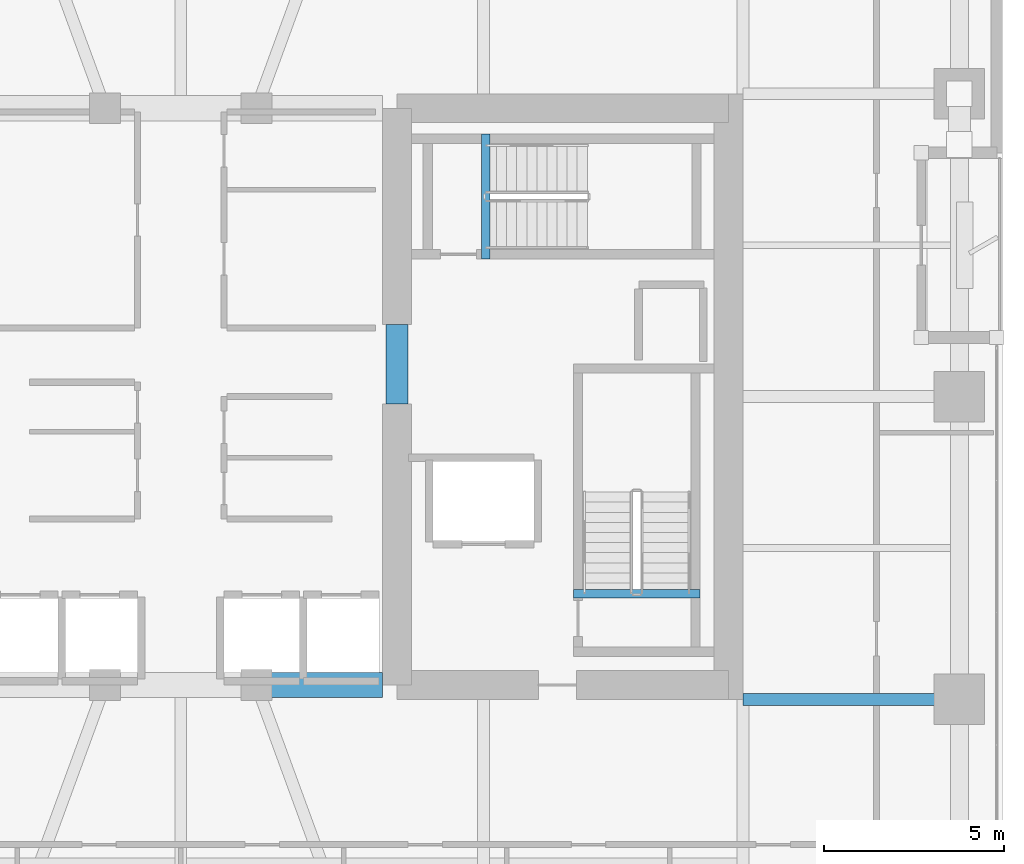
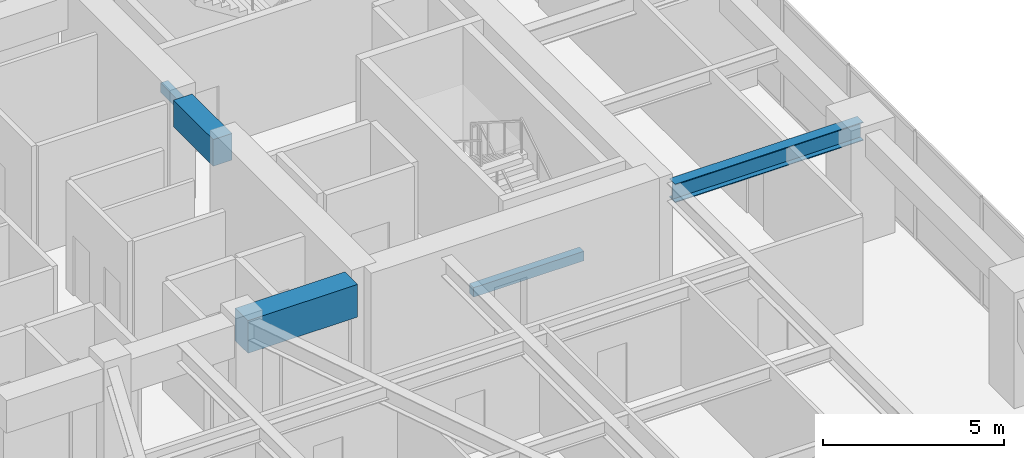
# One storey, part 5 of 24: 5 beams.
"""IFC4 building model written with IfcOpenShell, lengths in metres."""

from ifc_helpers import new_model, si_unit, direction, frame, origin, origin_2d, place, context, subcontext, project, spatial, rectangle, i_section, extrude, material, material_profile, profile_set, type_object, element, save


model = new_model("IFC4")

# Units and contexts
model_context = context("Model", 3, precision=1e-05, world=origin(), true_north=direction((0.0, 1.0)))
body_context = subcontext(model_context, "Body", "Model", "MODEL_VIEW")
ifc_project = project(units=[si_unit("LENGTHUNIT", "METRE"), si_unit("AREAUNIT", "SQUARE_METRE"), si_unit("VOLUMEUNIT", "CUBIC_METRE"), si_unit("PLANEANGLEUNIT", "RADIAN"), si_unit("MASSUNIT", "GRAM", prefix="KILO")], contexts=[model_context])

# Site, building, storey
site_placement = place(None, origin())
site = spatial("IfcSite", under=ifc_project, at=site_placement, CompositionType="ELEMENT")
building_placement = place(site_placement, origin())
building = spatial("IfcBuilding", under=site, at=building_placement, Name="Kiyonajd Concourse Tower", CompositionType="ELEMENT")
storey_placement = place(building_placement, frame((0.0, 0.0, 117.0)))
storey = spatial("IfcBuildingStorey", under=building, at=storey_placement, Name="L30", CompositionType="ELEMENT", Elevation=117.0)

# Beams
ifc_material_1 = material(Name="Concrete C70/85", Category="concrete")
ifc_material_profile_1 = material_profile(ifc_material_1, rectangle(XDim=0.699951171875, YDim=1.10009765625, at=origin_2d()), Name="RCBM-700x1100")
ifc_profile_set_1 = profile_set([ifc_material_profile_1], Name="Concrete C70/85")
beam_type_1 = type_object("IfcBeamType", Name="BM-COUP-1100", PredefinedType="LINTEL", material=ifc_profile_set_1)
beam_1_placement = place(storey_placement, frame((50.10009765625, 28.0, 3.090087890625), z_axis=(1.0, 0.0, 0.0), x_axis=(0.0, 1.0, 0.0)))
element("IfcBeam", 1, at=beam_1_placement, inside=storey, type_object=beam_type_1, Name="L30 Core Coupling Beam S3", PredefinedType="LINTEL", context=body_context, shape_type="SweptSolid", body=[
    extrude(rectangle(XDim=0.699951171875, YDim=1.10009765625, at=origin_2d()), origin(), (0.0, 0.0, 1.0), 3.5),
])
ifc_material_2 = material(Name="Concrete C60/75", Category="concrete")
ifc_material_profile_2 = material_profile(ifc_material_2, rectangle(XDim=0.60009765625, YDim=0.89990234375, at=origin_2d()), Name="RCBM-600x900")
ifc_profile_set_2 = profile_set([ifc_material_profile_2], Name="Concrete C60/75")
beam_type_2 = type_object("IfcBeamType", Name="BM-COUP-900", PredefinedType="LINTEL", material=ifc_profile_set_2)
beam_2_placement = place(storey_placement, frame((54.0, 35.800048828125, 3.090087890625), z_axis=(0.0, 1.0, 0.0), x_axis=(-1.0, 0.0, 0.0)))
element("IfcBeam", 2, at=beam_2_placement, inside=storey, type_object=beam_type_2, Name="L30 East Core Throat Coupling Lintel", PredefinedType="LINTEL", context=body_context, shape_type="SweptSolid", body=[
    extrude(rectangle(XDim=0.60009765625, YDim=0.89990234375, at=origin_2d()), origin(), (0.0, 0.0, 1.0), 2.199951171875),
])
ifc_material_3 = material(Name="Concrete C50/60", Category="concrete")
ifc_material_profile_3 = material_profile(ifc_material_3, rectangle(XDim=0.239990234375, YDim=0.320068359375, at=origin_2d()), Name="RCBM-240x320")
ifc_profile_set_3 = profile_set([ifc_material_profile_3], Name="Concrete C50/60")
beam_type_3 = type_object("IfcBeamType", Name="BM-LNT-250", PredefinedType="LINTEL", material=ifc_profile_set_3)
beam_3_placement = place(storey_placement, frame((58.889892578125, 30.530029296875, -0.159912109375), z_axis=(1.0, 0.0, 0.0), x_axis=(0.0, 1.0, 0.0)))
element("IfcBeam", 3, at=beam_3_placement, inside=storey, type_object=beam_type_3, Name="L30 Stair ST2 Threshold Support Beam", PredefinedType="LINTEL", context=body_context, shape_type="SweptSolid", body=[
    extrude(rectangle(XDim=0.239990234375, YDim=0.320068359375, at=origin_2d()), origin(), (0.0, 0.0, 1.0), 3.52001953125),
])
beam_4_placement = place(storey_placement, frame((56.4599609375, 39.820068359375, -0.159912109375), z_axis=(0.0, 1.0, 0.0), x_axis=(-1.0, 0.0, 0.0)))
element("IfcBeam", 4, at=beam_4_placement, inside=storey, type_object=beam_type_3, Name="L30 Stair ST3 Threshold Support Beam", PredefinedType="LINTEL", context=body_context, shape_type="SweptSolid", body=[
    extrude(rectangle(XDim=0.239990234375, YDim=0.320068359375, at=origin_2d()), origin(), (0.0, 0.0, 1.0), 3.4599609375),
])
ifc_material_4 = material(Name="Steel ASTM A992 Grade 50", Category="steel")
ifc_material_profile_4 = material_profile(ifc_material_4, i_section(OverallWidth=0.326904296875, OverallDepth=0.6220703125, WebThickness=0.015380859375, FlangeThickness=0.0244140625, at=origin_2d()), Name="W610X195")
ifc_profile_set_4 = profile_set([ifc_material_profile_4], Name="Steel ASTM A992 Grade 50")
beam_type_4 = type_object("IfcBeamType", Name="BM-TWR-610A", PredefinedType="BEAM", material=ifc_profile_set_4)
beam_5_placement = place(storey_placement, frame((63.60009765625, 27.60009765625, 3.3291015625), z_axis=(1.0, 0.0, 0.0), x_axis=(0.0, 1.0, 0.0)))
element("IfcBeam", 5, at=beam_5_placement, inside=storey, type_object=beam_type_4, Name="L30 East Lease Girder", PredefinedType="BEAM", context=body_context, shape_type="SweptSolid", body=[
    extrude(i_section(OverallWidth=0.326904296875, OverallDepth=0.6220703125, WebThickness=0.015380859375, FlangeThickness=0.0244140625, at=origin_2d()), origin(), (0.0, 0.0, 1.0), 6.0),
])

save(model, "model.ifc")
